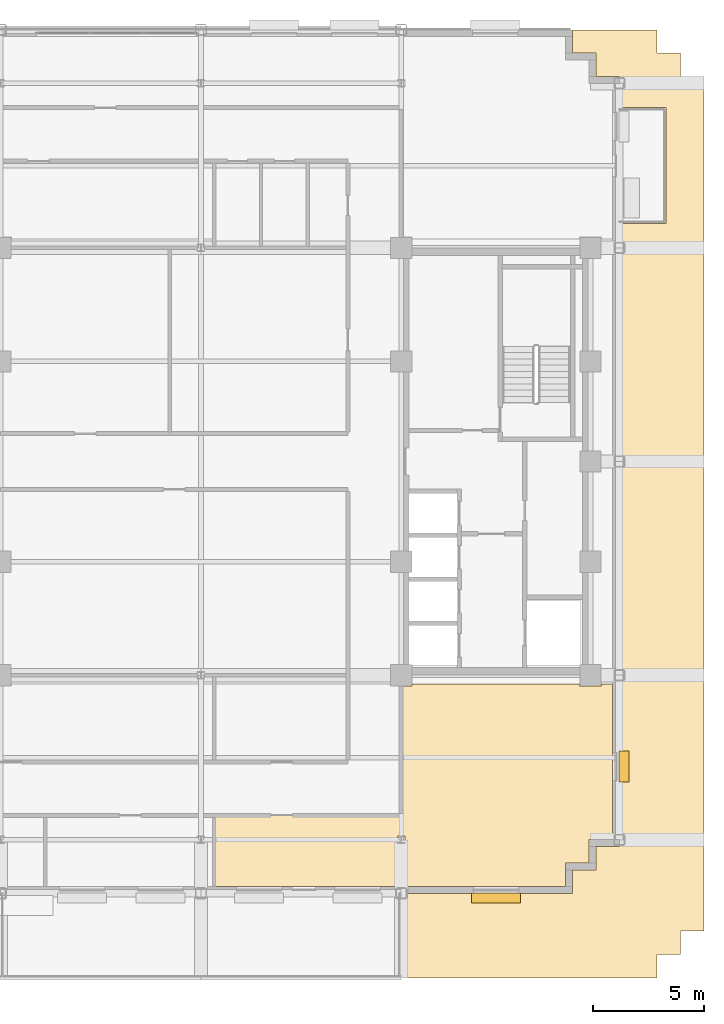
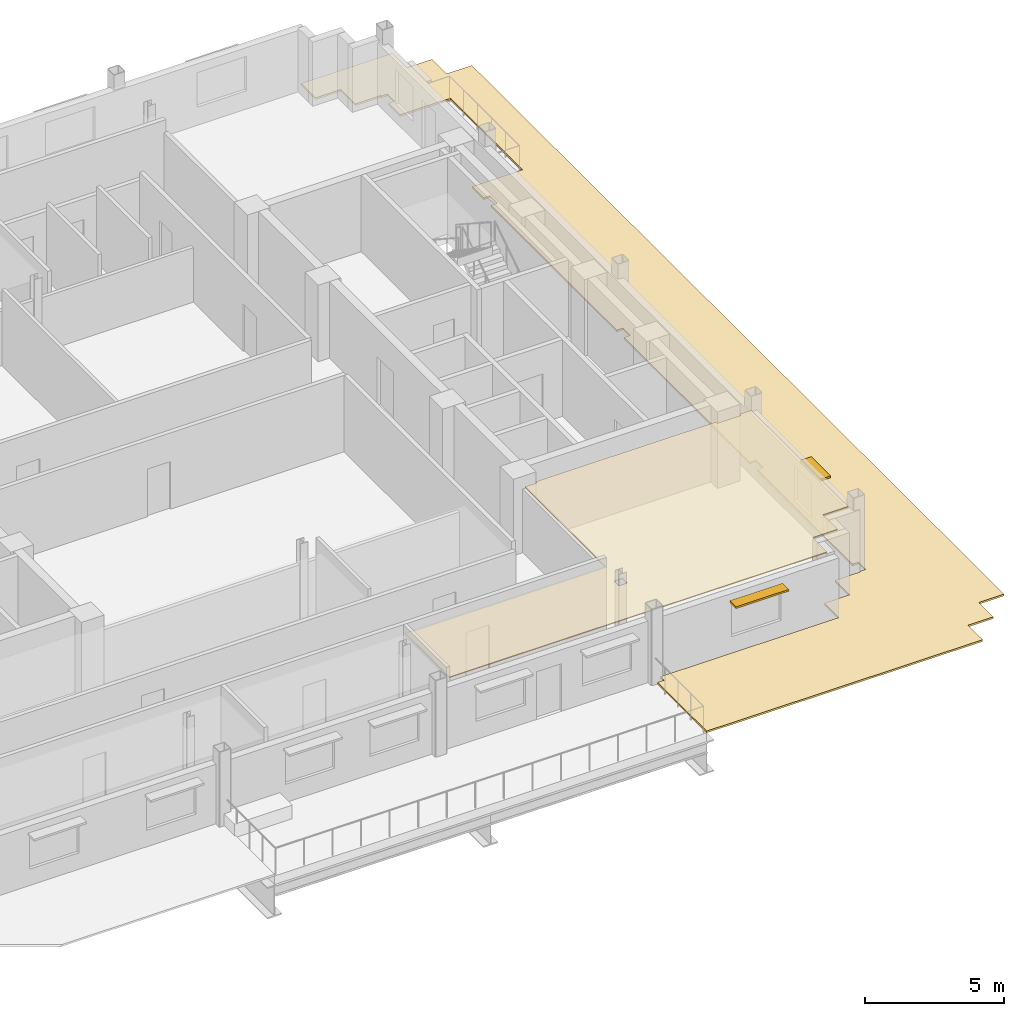
# One storey, part 14 of 16: 2 coverings, 2 shading devices.
"""IFC4 building model written with IfcOpenShell, lengths in metres."""

from ifc_helpers import new_model, si_unit, direction, frame, origin, origin_2d, place, context, subcontext, project, spatial, polyline, rectangle, outline, extrude, source, transform, mapped, material, layer, layer_set, type_object, type_shapes, element, save


model = new_model("IFC4")

# Units and contexts
model_context = context("Model", 3, precision=1e-05, world=origin(), true_north=direction((0.0, 1.0)))
body_context = subcontext(model_context, "Body", "Model", "MODEL_VIEW")
ifc_project = project(units=[si_unit("LENGTHUNIT", "METRE"), si_unit("AREAUNIT", "SQUARE_METRE"), si_unit("VOLUMEUNIT", "CUBIC_METRE"), si_unit("PLANEANGLEUNIT", "RADIAN"), si_unit("MASSUNIT", "GRAM", prefix="KILO")], contexts=[model_context])

# Site, building, storey
site_placement = place(None, origin())
site = spatial("IfcSite", under=ifc_project, at=site_placement, CompositionType="ELEMENT")
building_placement = place(site_placement, origin())
building = spatial("IfcBuilding", under=site, at=building_placement, Name="Nuvemarco Arch Tower", CompositionType="ELEMENT")
storey_placement = place(building_placement, frame((0.0, 0.0, 209.14990234375)))
storey = spatial("IfcBuildingStorey", under=building, at=storey_placement, Name="L55", CompositionType="ELEMENT", Elevation=209.14990234375)

# Coverings
ifc_material_1 = material(Name="Mineral acoustic ceiling tile")
ifc_layer_1 = layer(ifc_material_1, 0.0400390625, Name="COV-ACOUSTIC-CLG")
ifc_layer_set_1 = layer_set([ifc_layer_1], Name="Mineral acoustic ceiling tile")
covering_type_1 = type_object("IfcCoveringType", Name="COV-ACOUSTIC-CLG", PredefinedType="CEILING", material=ifc_layer_set_1)
covering_1_placement = place(storey_placement, frame((0.0, 0.0, 2.85009765625)))
element("IfcCovering", 1, at=covering_1_placement, inside=storey, type_object=covering_type_1, Name="L55 suspended acoustic ceiling 3", PredefinedType="CEILING", context=body_context, shape_type="SweptSolid", body=[
    extrude(outline(polyline([(16.389892578125, -19.090087890625), (0.64990234375, -19.090087890625), (0.64990234375, -15.89990234375), (6.60009765625, -15.89990234375), (9.0, -15.89990234375), (9.0, -13.5), (9.0, -10.090087890625), (9.489990234375, -10.090087890625), (9.489990234375, -10.0), (17.010009765625, -10.0), (17.010009765625, -10.090087890625), (17.989990234375, -10.090087890625), (17.989990234375, -10.0), (18.489990234375, -10.0), (18.489990234375, -16.989990234375), (17.43994140625, -16.989990234375), (17.43994140625, -18.0400390625), (16.389892578125, -18.0400390625), (16.389892578125, -19.090087890625)]), holes=[polyline([(9.169921875, -17.169921875), (9.169921875, -16.830078125), (8.830078125, -16.830078125), (8.830078125, -17.169921875), (9.169921875, -17.169921875)])]), origin(), (0.0, 0.0, 1.0), 0.0400390625),
])
ifc_material_2 = material(Name="Elastomeric roofing membrane and insulation")
ifc_layer_2 = layer(ifc_material_2, 0.080078125, Name="COV-ROOF-MEMB")
ifc_layer_set_2 = layer_set([ifc_layer_2], Name="Elastomeric roofing membrane and insulation")
covering_type_2 = type_object("IfcCoveringType", Name="COV-ROOF-MEMB", PredefinedType="ROOFING", material=ifc_layer_set_2)
covering_2_placement = place(storey_placement, origin())
element("IfcCovering", 2, at=covering_2_placement, inside=storey, type_object=covering_type_2, Name="L55 setback roof elastomeric membrane and insulation 1", PredefinedType="ROOFING", context=body_context, shape_type="SweptSolid", body=[
    extrude(outline(polyline([(20.5, 19.39990234375), (20.5, 18.35009765625), (21.550048828125, 18.35009765625), (21.550048828125, 17.300048828125), (22.60009765625, 17.300048828125), (22.60009765625, -21.10009765625), (21.550048828125, -21.10009765625), (21.550048828125, -22.14990234375), (20.5, -22.14990234375), (20.5, -23.199951171875), (9.0, -23.199951171875), (9.0, -19.659912109375), (9.260009765625, -19.659912109375), (9.260009765625, -19.39990234375), (16.699951171875, -19.39990234375), (16.699951171875, -18.35009765625), (17.75, -18.35009765625), (17.75, -17.300048828125), (18.800048828125, -17.300048828125), (18.800048828125, -17.260009765625), (19.06005859375, -17.260009765625), (19.06005859375, -16.739990234375), (18.800048828125, -16.739990234375), (18.800048828125, -9.860107421875), (19.06005859375, -9.860107421875), (19.06005859375, -9.340087890625), (18.800048828125, -9.340087890625), (18.800048828125, -0.260009765625), (19.06005859375, -0.260009765625), (19.06005859375, 0.260009765625), (18.800048828125, 0.260009765625), (18.800048828125, 9.340087890625), (19.06005859375, 9.340087890625), (19.06005859375, 9.860107421875), (18.800048828125, 9.860107421875), (18.800048828125, 10.699951171875), (20.89990234375, 10.699951171875), (20.89990234375, 15.89990234375), (18.800048828125, 15.89990234375), (18.800048828125, 16.739990234375), (19.06005859375, 16.739990234375), (19.06005859375, 17.260009765625), (18.800048828125, 17.260009765625), (18.800048828125, 17.300048828125), (17.75, 17.300048828125), (17.75, 18.35009765625), (16.699951171875, 18.35009765625), (16.699951171875, 19.39990234375), (20.5, 19.39990234375)])), origin(), (0.0, 0.0, 1.0), 0.080078125),
])

# Shading devices
ifc_material_3 = material(Name="Anodised aluminium 6063-T6", Category="aluminium")
shading_device_type_1 = type_object("IfcShadingDeviceType", Name="SHD-BRISE-SOLEIL", PredefinedType="USERDEFINED", material=ifc_material_3)
shared_shape_1 = source(origin(), body_context, "Body", "SweptSolid", [
    extrude(rectangle(XDim=2.199951171875, YDim=0.449951171875, at=origin_2d()), origin(), (0.0, 0.0, 1.0), 0.080078125),
])
type_shapes(shading_device_type_1, [shared_shape_1])
shading_device_1_placement = place(storey_placement, frame((13.262451171875, -19.614990234375, 2.324951171875), z_axis=(0.0, 0.0, 1.0), x_axis=(1.0, 0.0, 0.0)))
element("IfcShadingDevice", 3, at=shading_device_1_placement, inside=storey, type_object=shading_device_type_1, Name="L55 horizontal brise-soleil sunshade", ObjectType="SUNSHADE", PredefinedType="USERDEFINED", context=body_context, shape_type="MappedRepresentation", body=[
    mapped(shared_shape_1, transform((0.0, 0.0, 0.0), scale=1.0)),
])
shading_device_type_2 = type_object("IfcShadingDeviceType", Name="SHD-BRISE-NARROW", PredefinedType="USERDEFINED", material=ifc_material_3)
shared_shape_2 = source(origin(), body_context, "Body", "SweptSolid", [
    extrude(rectangle(XDim=1.39990234375, YDim=0.449951171875, at=origin_2d()), origin(), (0.0, 0.0, 1.0), 0.080078125),
])
type_shapes(shading_device_type_2, [shared_shape_2])
shading_device_2_placement = place(storey_placement, frame((19.014892578125, -13.708984375, 2.324951171875), z_axis=(0.0, 0.0, 1.0), x_axis=(0.0, 1.0, 0.0)))
element("IfcShadingDevice", 4, at=shading_device_2_placement, inside=storey, type_object=shading_device_type_2, Name="L55 horizontal brise-soleil sunshade", ObjectType="SUNSHADE", PredefinedType="USERDEFINED", context=body_context, shape_type="MappedRepresentation", body=[
    mapped(shared_shape_2, transform((0.0, 0.0, 0.0), scale=1.0)),
])

save(model, "model.ifc")
